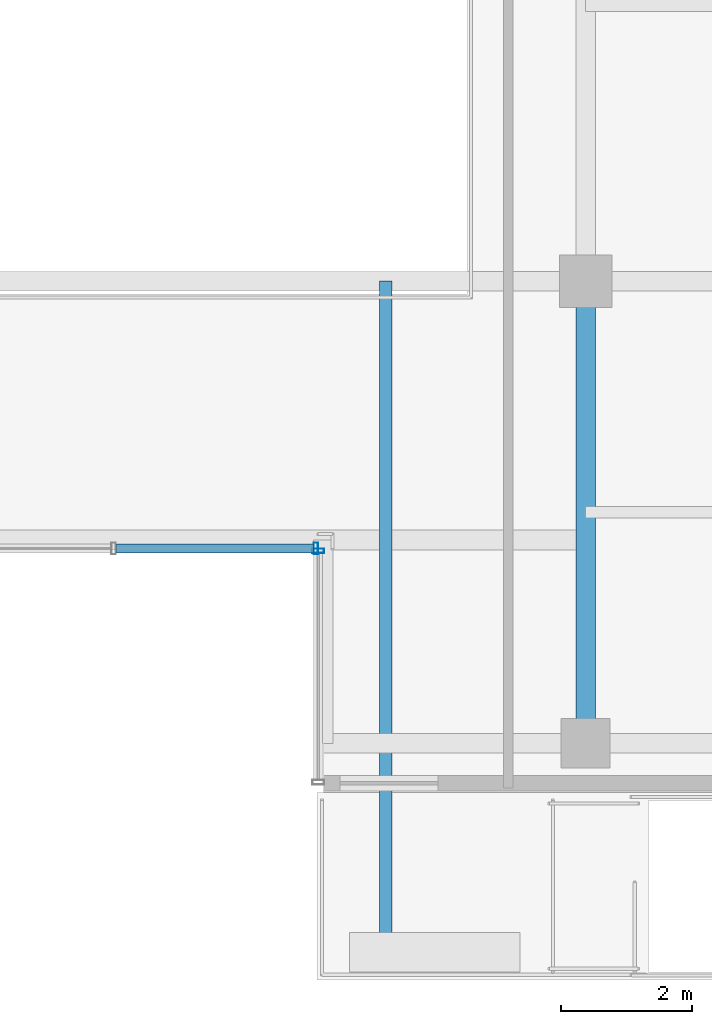
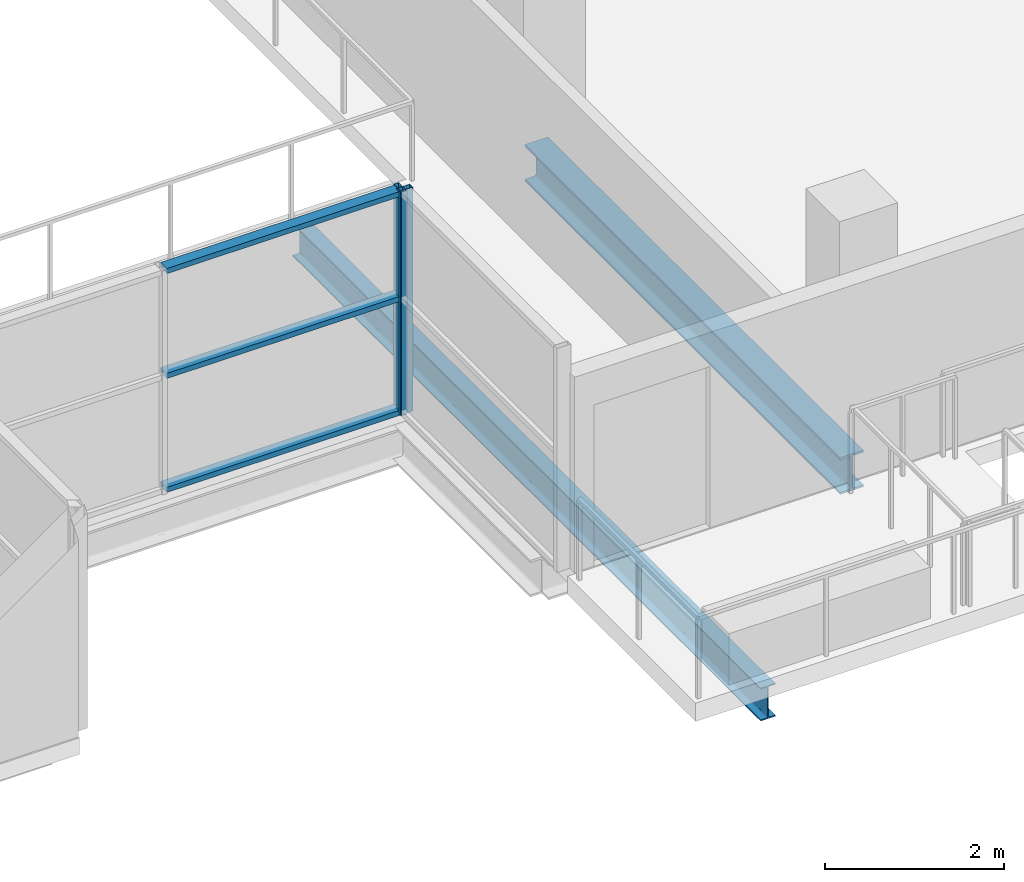
# One storey, part 6 of 23: 5 members, 2 beams, 2 elements without a shape of their own.
"""IFC4 building model written with IfcOpenShell, lengths in metres."""

from ifc_helpers import new_model, si_unit, direction, frame, origin, origin_2d, place, context, subcontext, project, spatial, hollow_rectangle, i_section, extrude, source, transform, mapped, material, layer, layer_set, material_profile, profile_set, type_object, element, aggregate, save


model = new_model("IFC4")

# Units and contexts
model_context = context("Model", 3, precision=1e-05, world=origin(), true_north=direction((0.0, 1.0)))
body_context = subcontext(model_context, "Body", "Model", "MODEL_VIEW")
ifc_project = project(units=[si_unit("LENGTHUNIT", "METRE"), si_unit("AREAUNIT", "SQUARE_METRE"), si_unit("VOLUMEUNIT", "CUBIC_METRE"), si_unit("PLANEANGLEUNIT", "RADIAN"), si_unit("MASSUNIT", "GRAM", prefix="KILO")], contexts=[model_context])

# Site, building, storey
site_placement = place(None, origin())
site = spatial("IfcSite", under=ifc_project, at=site_placement, CompositionType="ELEMENT")
building_placement = place(site_placement, origin())
building = spatial("IfcBuilding", under=site, at=building_placement, Name="Zarnakvel Exchange Tower", CompositionType="ELEMENT")
storey_placement = place(building_placement, frame((0.0, 0.0, 175.89990234375)))
storey = spatial("IfcBuildingStorey", under=building, at=storey_placement, Name="L49", CompositionType="ELEMENT", Elevation=175.89990234375)

# Beams
ifc_material_1 = material(Name="Steel S355", Category="steel")
ifc_material_profile_1 = material_profile(ifc_material_1, i_section(OverallWidth=0.18994140625, OverallDepth=0.449951171875, WebThickness=0.009521484375, FlangeThickness=0.0146484375, FilletRadius=0.02099609375, at=origin_2d()))
ifc_profile_set_1 = profile_set([ifc_material_profile_1], Name="Steel S355")
beam_type_1 = type_object("IfcBeamType", Name="B-05", PredefinedType="JOIST", material=ifc_profile_set_1)
beam_1_placement = place(storey_placement, frame((4.14990234375, -9.60009765625, -0.474853515625), z_axis=(0.0, -1.0, 0.0), x_axis=(1.0, 0.0, 0.0)))
element("IfcBeam", 1, at=beam_1_placement, inside=storey, type_object=beam_type_1, Name="L49 Continuous Spiral Terrace Beam W", PredefinedType="JOIST", context=body_context, shape_type="SweptSolid", body=[
    extrude(i_section(OverallWidth=0.18994140625, OverallDepth=0.449951171875, WebThickness=0.009521484375, FlangeThickness=0.0146484375, FilletRadius=0.02099609375, at=origin_2d()), origin(), (0.0, 0.0, 1.0), 10.4599609375),
])
ifc_material_profile_2 = material_profile(ifc_material_1, i_section(OverallWidth=0.300048828125, OverallDepth=0.5, WebThickness=0.014404296875, FlangeThickness=0.028076171875, FilletRadius=0.027099609375, at=origin_2d()))
ifc_profile_set_2 = profile_set([ifc_material_profile_2], Name="Steel S355")
beam_type_2 = type_object("IfcBeamType", Name="G-06", PredefinedType="BEAM", material=ifc_profile_set_2)
beam_2_placement = place(storey_placement, frame((7.199951171875, -16.64990234375, -0.474853515625), z_axis=(0.0, 1.0, 0.0), x_axis=(-1.0, 0.0, 0.0)))
element("IfcBeam", 2, at=beam_2_placement, inside=storey, type_object=beam_type_2, Name="L49 Tower N-S Frame Beam", PredefinedType="BEAM", context=body_context, shape_type="SweptSolid", body=[
    extrude(i_section(OverallWidth=0.300048828125, OverallDepth=0.5, WebThickness=0.014404296875, FlangeThickness=0.028076171875, FilletRadius=0.027099609375, at=origin_2d()), origin(), (0.0, 0.0, 1.0), 7.0498046875),
])

# Curtain wall, member
ifc_material_2 = material(Name="Architectural Bronze Anodised Aluminium", Category="aluminium")
ifc_layer = layer(ifc_material_2, 0.179931640625)
ifc_layer_set = layer_set([ifc_layer], Name="Architectural Bronze Anodised Aluminium")
curtain_wall_type = type_object("IfcCurtainWallType", Name="CW-05", PredefinedType="NOTDEFINED", material=ifc_layer_set)
curtain_wall_1_placement = place(storey_placement, origin())
curtain_wall_1 = element("IfcCurtainWall", 3, at=curtain_wall_1_placement, inside=storey, type_object=curtain_wall_type, Name="L49 Curtain Wall CW-L49-SLB (CW-05)", PredefinedType="NOTDEFINED")
ifc_material_profile_3 = material_profile(ifc_material_2, hollow_rectangle(XDim=0.179931640625, YDim=0.070068359375, WallThickness=0.00390625, at=origin_2d()))
ifc_profile_set_3 = profile_set([ifc_material_profile_3], Name="Architectural Bronze Anodised Aluminium")
member_type_1 = type_object("IfcMemberType", Name="CWM-05", PredefinedType="MULLION", material=ifc_profile_set_3)
shared_shape_1 = source(origin(), body_context, "Body", "SweptSolid", [
    extrude(hollow_rectangle(XDim=0.179931640625, YDim=0.070068359375, WallThickness=0.00390625, at=origin_2d()), origin(), (0.0, 0.0, 1.0), 3.05517578125),
])
member_1_placement = place(storey_placement, frame((3.0849609375, -13.679931640625, 0.0), z_axis=(0.0, 0.0, 1.0), x_axis=(0.0, 1.0, 0.0)))
member_1 = element("IfcMember", 4, at=member_1_placement, type_object=member_type_1, Name="CW-05 mullion 3", PredefinedType="MULLION", context=body_context, shape_type="MappedRepresentation", body=[
    mapped(shared_shape_1, transform((0.0, 0.0, 0.0), x_axis=(1.0, 0.0, 0.0), y_axis=(0.0, 1.0, 0.0), z_axis=(0.0, 0.0, 1.0), scale=1.0)),
])

curtain_wall_2_placement = place(storey_placement, origin())
curtain_wall_2 = element("IfcCurtainWall", 5, at=curtain_wall_2_placement, inside=storey, type_object=curtain_wall_type, Name="L49 Curtain Wall CW-L49-SLE (CW-05)", PredefinedType="NOTDEFINED")
member_2_placement = place(storey_placement, frame((3.1201171875, -13.715087890625, 0.0), z_axis=(0.0, 0.0, 1.0), x_axis=(1.0, 0.0, 0.0)))
member_2 = element("IfcMember", 6, at=member_2_placement, type_object=member_type_1, Name="CW-05 mullion 1", PredefinedType="MULLION", context=body_context, shape_type="MappedRepresentation", body=[
    mapped(shared_shape_1, transform((0.0, 0.0, 0.0), x_axis=(1.0, 0.0, 0.0), y_axis=(0.0, 1.0, 0.0), z_axis=(0.0, 0.0, 1.0), scale=1.0)),
])
aggregate(curtain_wall_2, [member_2])

# Member
ifc_material_profile_4 = material_profile(ifc_material_2, hollow_rectangle(XDim=0.139892578125, YDim=0.070068359375, WallThickness=0.00390625, at=origin_2d()))
ifc_profile_set_4 = profile_set([ifc_material_profile_4], Name="Architectural Bronze Anodised Aluminium")
member_type_2 = type_object("IfcMemberType", Name="CWT-05", PredefinedType="USERDEFINED", material=ifc_profile_set_4)
shared_shape_2 = source(origin(), body_context, "Body", "SweptSolid", [
    extrude(hollow_rectangle(XDim=0.139892578125, YDim=0.070068359375, WallThickness=0.00390625, at=origin_2d()), origin(), (0.0, 0.0, 1.0), 3.01513671875),
])
member_3_placement = place(storey_placement, frame((0.034912109375, -13.679931640625, 0.03515625), z_axis=(1.0, 0.0, 0.0), x_axis=(0.0, 1.0, 0.0)))
member_3 = element("IfcMember", 7, at=member_3_placement, type_object=member_type_2, Name="CW-05 transom 2.1", ObjectType="TRANSOM", PredefinedType="USERDEFINED", context=body_context, shape_type="MappedRepresentation", body=[
    mapped(shared_shape_2, transform((0.0, 0.0, 0.0), x_axis=(1.0, 0.0, 0.0), y_axis=(0.0, 1.0, 0.0), z_axis=(0.0, 0.0, 1.0), scale=1.0)),
])

member_4_placement = place(storey_placement, frame((0.034912109375, -13.679931640625, 1.588623046875), z_axis=(1.0, 0.0, 0.0), x_axis=(0.0, 1.0, 0.0)))
member_4 = element("IfcMember", 8, at=member_4_placement, type_object=member_type_2, Name="CW-05 transom 2.2", ObjectType="TRANSOM", PredefinedType="USERDEFINED", context=body_context, shape_type="MappedRepresentation", body=[
    mapped(shared_shape_2, transform((0.0, 0.0, 0.0), x_axis=(1.0, 0.0, 0.0), y_axis=(0.0, 1.0, 0.0), z_axis=(0.0, 0.0, 1.0), scale=1.0)),
])

member_5_placement = place(storey_placement, frame((0.034912109375, -13.679931640625, 3.02001953125), z_axis=(1.0, 0.0, 0.0), x_axis=(0.0, 1.0, 0.0)))
member_5 = element("IfcMember", 9, at=member_5_placement, type_object=member_type_2, Name="CW-05 transom 2.3", ObjectType="TRANSOM", PredefinedType="USERDEFINED", context=body_context, shape_type="MappedRepresentation", body=[
    mapped(shared_shape_2, transform((0.0, 0.0, 0.0), x_axis=(1.0, 0.0, 0.0), y_axis=(0.0, 1.0, 0.0), z_axis=(0.0, 0.0, 1.0), scale=1.0)),
])

aggregate(curtain_wall_1, [member_1, member_3, member_4, member_5])

save(model, "model.ifc")
